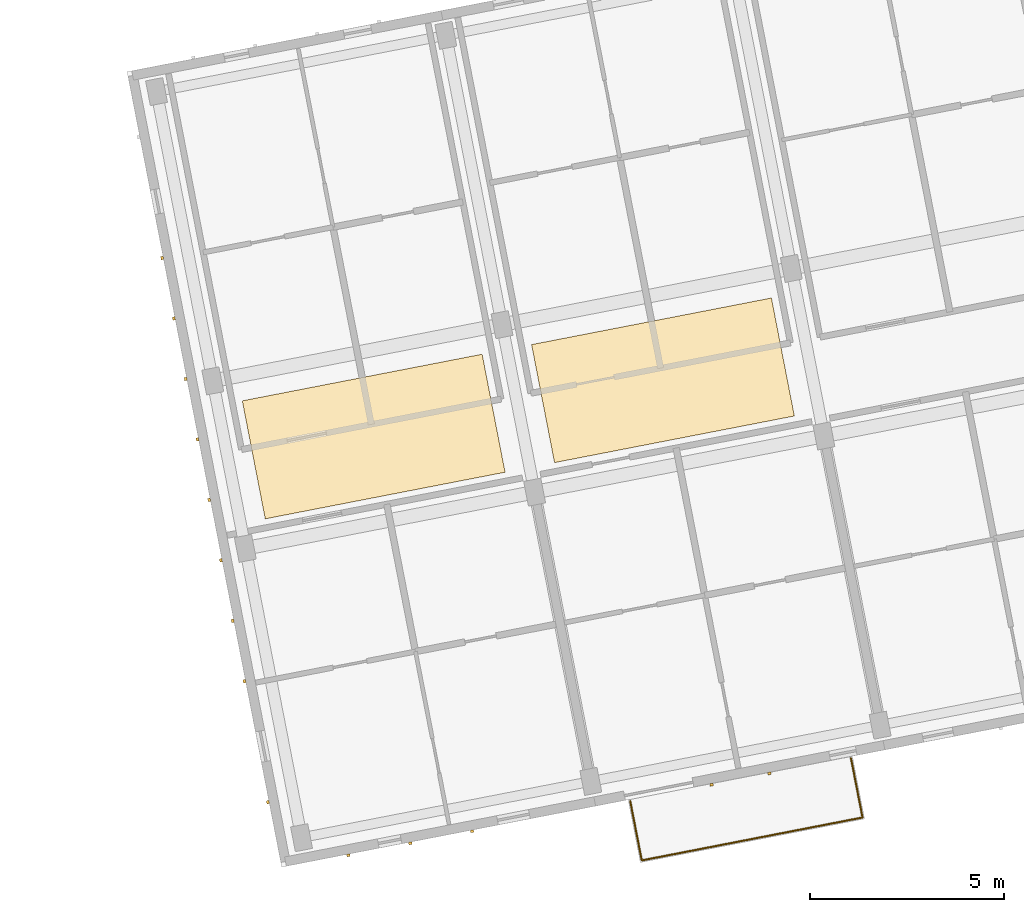
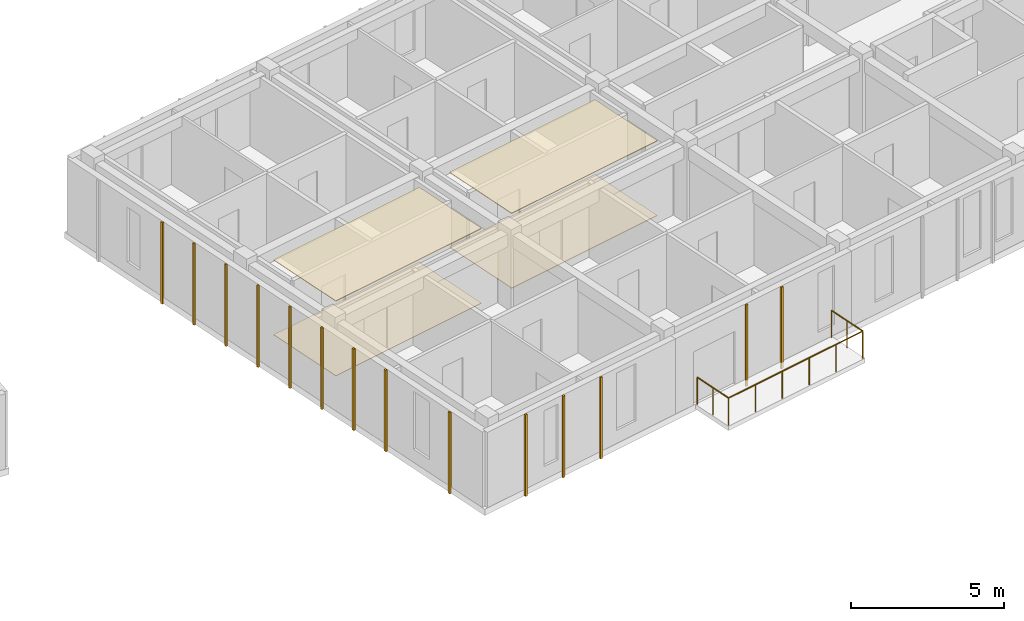
# One storey, part 55 of 68: 18 coverings, 1 railing.
"""IFC4 building model written with IfcOpenShell, lengths in metres."""

from ifc_helpers import new_model, si_unit, direction, frame, origin, origin_2d, place, context, subcontext, project, spatial, polyline, rectangle, circle, outline, extrude, material, layer, layer_set, type_object, element, save


model = new_model("IFC4")

# Units and contexts
model_context = context("Model", 3, precision=1e-05, world=origin(), true_north=direction((0.0, 1.0)))
body_context = subcontext(model_context, "Body", "Model", "MODEL_VIEW")
ifc_project = project(units=[si_unit("LENGTHUNIT", "METRE"), si_unit("AREAUNIT", "SQUARE_METRE"), si_unit("VOLUMEUNIT", "CUBIC_METRE"), si_unit("PLANEANGLEUNIT", "RADIAN"), si_unit("MASSUNIT", "GRAM", prefix="KILO")], contexts=[model_context])

# Site, building, storey
site_placement = place(None, origin())
site = spatial("IfcSite", under=ifc_project, at=site_placement, CompositionType="ELEMENT")
building_placement = place(site_placement, origin())
building = spatial("IfcBuilding", under=site, at=building_placement, Name="Kestramere Prow Commons", CompositionType="ELEMENT")
storey_placement = place(building_placement, frame((0.0, 0.0, 18.14990234375)))
storey = spatial("IfcBuildingStorey", under=building, at=storey_placement, Name="L05", CompositionType="ELEMENT", Elevation=18.14990234375)

# Coverings
ifc_material_1 = material(Name="Mineral Fibre Acoustic Ceiling Tile")
ifc_layer_1 = layer(ifc_material_1, 0.02490234375)
ifc_layer_set_1 = layer_set([ifc_layer_1], Name="Mineral Fibre Acoustic Ceiling Tile")
covering_type_1 = type_object("IfcCoveringType", Name="COV-CEIL-ACOUSTIC", PredefinedType="CEILING", material=ifc_layer_set_1)
covering_1_placement = place(storey_placement, frame((0.0, 0.0, 2.97509765625)))
element("IfcCovering", 1, at=covering_1_placement, inside=storey, type_object=covering_type_1, Name="Block D L05 Corridor Acoustic Ceiling 1", PredefinedType="CEILING", context=body_context, shape_type="SweptSolid", body=[
    extrude(outline(polyline([(117.4638671875, 42.222412109375), (123.648193359375, 43.424560546875), (123.056640625, 46.467529296875), (116.872314453125, 45.265380859375), (117.4638671875, 42.222412109375)])), origin(), (0.0, 0.0, 1.0), 0.02490234375),
])
covering_2_placement = place(storey_placement, frame((0.0, 0.0, 2.97509765625)))
element("IfcCovering", 2, at=covering_2_placement, inside=storey, type_object=covering_type_1, Name="Block D L05 Corridor Acoustic Ceiling 2", PredefinedType="CEILING", context=body_context, shape_type="SweptSolid", body=[
    extrude(outline(polyline([(124.92431640625, 43.672607421875), (131.1083984375, 44.874755859375), (130.51708984375, 47.917724609375), (124.332763671875, 46.715576171875), (124.92431640625, 43.672607421875)])), origin(), (0.0, 0.0, 1.0), 0.02490234375),
])
ifc_material_2 = material(Name="Weathered Zinc-Titanium Standing-Seam Cladding")
ifc_layer_2 = layer(ifc_material_2, 0.074951171875)
ifc_layer_set_2 = layer_set([ifc_layer_2], Name="Weathered Zinc-Titanium Standing-Seam Cladding")
covering_type_2 = type_object("IfcCoveringType", Name="COV-CLAD-SEAM", PredefinedType="CLADDING", material=ifc_layer_set_2)
for number, where, z_axis, x_axis, name in (
    (3, (122.79931640625, 34.1650390625, -0.25), (0.0, 0.0, 1.0), (-0.981627183448, -0.190808995377, 0.0), "EW-D-L05-S-0 Standing-Seam Rib 2"),
    (4, (121.2041015625, 33.85498046875, -0.25), (0.0, 0.0, 1.0), (-0.981627183448, -0.190808995377, 0.0), "EW-D-L05-S-0 Standing-Seam Rib 3"),
    (5, (119.609130859375, 33.544921875, -0.25), (0.0, 0.0, 1.0), (-0.981627183448, -0.190808995377, 0.0), "EW-D-L05-S-0 Standing-Seam Rib 4"),
    (6, (130.4658203125, 35.6552734375, -0.25), (0.0, 0.0, 1.0), (-0.981627183448, -0.190808995377, 0.0), "EW-D-L05-S-1 Standing-Seam Rib 2"),
    (7, (128.973876953125, 35.365234375, -0.25), (0.0, 0.0, 1.0), (-0.981627183448, -0.190808995377, 0.0), "EW-D-L05-S-1 Standing-Seam Rib 3"),
    (8, (117.531982421875, 34.91455078125, -0.25), (0.0, 0.0, 1.0), (-0.190808995377, 0.981627183448, 0.0), "EW-D-L05-EAV Standing-Seam Rib 1"),
    (9, (116.92578125, 38.033203125, -0.25), (0.0, 0.0, 1.0), (-0.190808995377, 0.981627183448, 0.0), "EW-D-L05-EAV Standing-Seam Rib 3"),
    (10, (116.622802734375, 39.592529296875, -0.25), (0.0, 0.0, 1.0), (-0.190808995377, 0.981627183448, 0.0), "EW-D-L05-EAV Standing-Seam Rib 4"),
    (11, (116.319580078125, 41.15185546875, -0.25), (0.0, 0.0, 1.0), (-0.190808995377, 0.981627183448, 0.0), "EW-D-L05-EAV Standing-Seam Rib 5"),
    (12, (116.0166015625, 42.7109375, -0.25), (0.0, 0.0, 1.0), (-0.190808995377, 0.981627183448, 0.0), "EW-D-L05-EAV Standing-Seam Rib 6"),
    (13, (115.71337890625, 44.270263671875, -0.25), (0.0, 0.0, 1.0), (-0.190808995377, 0.981627183448, 0.0), "EW-D-L05-EAV Standing-Seam Rib 7"),
    (14, (115.410400390625, 45.82958984375, -0.25), (0.0, 0.0, 1.0), (-0.190808995377, 0.981627183448, 0.0), "EW-D-L05-EAV Standing-Seam Rib 8"),
    (15, (115.107177734375, 47.388916015625, -0.25), (0.0, 0.0, 1.0), (-0.190808995377, 0.981627183448, 0.0), "EW-D-L05-EAV Standing-Seam Rib 9"),
    (16, (114.80419921875, 48.9482421875, -0.25), (0.0, 0.0, 1.0), (-0.190808995377, 0.981627183448, 0.0), "EW-D-L05-EAV Standing-Seam Rib 10"),
):
    element("IfcCovering", number, at=place(storey_placement, frame(where, z_axis=z_axis, x_axis=x_axis)), inside=storey, type_object=covering_type_2, Name=name, PredefinedType="CLADDING", context=body_context, shape_type="SweptSolid", body=[
        extrude(rectangle(XDim=0.0849609375, YDim=0.06494140625, at=origin_2d()), origin(), (0.0, 0.0, 1.0), 3.25),
    ])
ifc_material_3 = material(Name="Honed Cementitious Terrazzo Tile")
ifc_layer_3 = layer(ifc_material_3, 0.02001953125)
ifc_layer_set_3 = layer_set([ifc_layer_3], Name="Honed Cementitious Terrazzo Tile")
covering_type_3 = type_object("IfcCoveringType", Name="COV-FLOOR-TERRAZZO", PredefinedType="FLOORING", material=ifc_layer_set_3)
covering_3_placement = place(storey_placement, origin())
element("IfcCovering", 17, at=covering_3_placement, inside=storey, type_object=covering_type_3, Name="Block D L05 Corridor Terrazzo Flooring 1", PredefinedType="FLOORING", context=body_context, shape_type="SweptSolid", body=[
    extrude(outline(polyline([(117.4638671875, 42.222412109375), (123.648193359375, 43.424560546875), (123.056640625, 46.467529296875), (116.872314453125, 45.265380859375), (117.4638671875, 42.222412109375)])), origin(), (0.0, 0.0, 1.0), 0.02001953125),
])
covering_4_placement = place(storey_placement, origin())
element("IfcCovering", 18, at=covering_4_placement, inside=storey, type_object=covering_type_3, Name="Block D L05 Corridor Terrazzo Flooring 2", PredefinedType="FLOORING", context=body_context, shape_type="SweptSolid", body=[
    extrude(outline(polyline([(124.92431640625, 43.672607421875), (131.1083984375, 44.874755859375), (130.51708984375, 47.917724609375), (124.332763671875, 46.715576171875), (124.92431640625, 43.672607421875)])), origin(), (0.0, 0.0, 1.0), 0.02001953125),
])

# Railing
ifc_material_4 = material(Name="Powder-Coated Aluminium 6063-T6", Category="aluminium")
railing_type = type_object("IfcRailingType", Name="GRD-BALC-1100", PredefinedType="BALUSTRADE", material=ifc_material_4)
railing_placement = place(storey_placement, frame((126.87548828125, 34.944580078125, 0.0)))
element("IfcRailing", 19, at=railing_placement, inside=storey, type_object=railing_type, Name="Block D L05 Balcony Guardrail 2", PredefinedType="BALUSTRADE", context=body_context, shape_type="SweptSolid", body=[
    extrude(circle(Radius=0.02392578125, at=origin_2d()), frame((0.0, 0.0, 1.076171875), z_axis=(0.19078587602, -0.981631677113, 0.0), x_axis=(0.981631677113, 0.19078587602, 0.0)), (0.0, 0.0, 1.0), 1.559814453125),
    extrude(circle(Radius=0.02392578125, at=origin_2d()), frame((0.297607421875, -1.53125, 1.076171875), z_axis=(0.981628312332, 0.190803187676, 0.0), x_axis=(-0.190803187676, 0.981628312332, 0.0)), (0.0, 0.0, 1.0), 5.800048828125),
    extrude(circle(Radius=0.02392578125, at=origin_2d()), frame((5.9912109375, -0.424560546875, 1.076171875), z_axis=(-0.190936682564, 0.981602354954, 0.0), x_axis=(-0.981602354954, -0.190936682564, 0.0)), (0.0, 0.0, 1.0), 1.56005859375),
    extrude(circle(Radius=0.02099609375, at=origin_2d()), origin(), (0.0, 0.0, 1.0), 1.052001953125),
    extrude(circle(Radius=0.02099609375, at=origin_2d()), frame((0.14892578125, -0.765625, 0.0)), (0.0, 0.0, 1.0), 1.052001953125),
    extrude(circle(Radius=0.02099609375, at=origin_2d()), frame((0.297607421875, -1.53125, 0.0)), (0.0, 0.0, 1.0), 1.052001953125),
    extrude(circle(Radius=0.02099609375, at=origin_2d()), frame((1.436279296875, -1.309814453125, 0.0)), (0.0, 0.0, 1.0), 1.052001953125),
    extrude(circle(Radius=0.02099609375, at=origin_2d()), frame((2.574951171875, -1.088623046875, 0.0)), (0.0, 0.0, 1.0), 1.052001953125),
    extrude(circle(Radius=0.02099609375, at=origin_2d()), frame((3.7138671875, -0.8671875, 0.0)), (0.0, 0.0, 1.0), 1.052001953125),
    extrude(circle(Radius=0.02099609375, at=origin_2d()), frame((4.8525390625, -0.64599609375, 0.0)), (0.0, 0.0, 1.0), 1.052001953125),
    extrude(circle(Radius=0.02099609375, at=origin_2d()), frame((5.9912109375, -0.424560546875, 0.0)), (0.0, 0.0, 1.0), 1.052001953125),
    extrude(circle(Radius=0.02099609375, at=origin_2d()), frame((5.84228515625, 0.341064453125, 0.0)), (0.0, 0.0, 1.0), 1.052001953125),
    extrude(circle(Radius=0.02099609375, at=origin_2d()), frame((5.693359375, 1.106689453125, 0.0)), (0.0, 0.0, 1.0), 1.052001953125),
])

save(model, "model.ifc")
